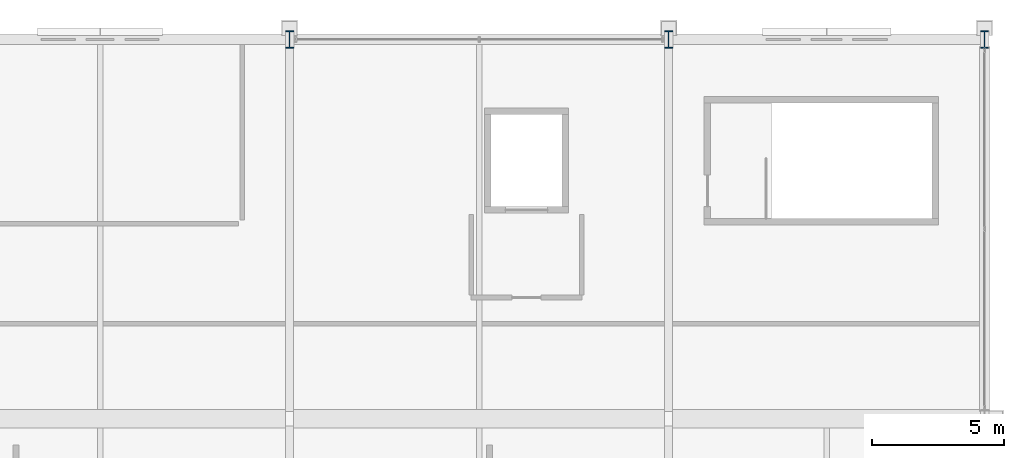
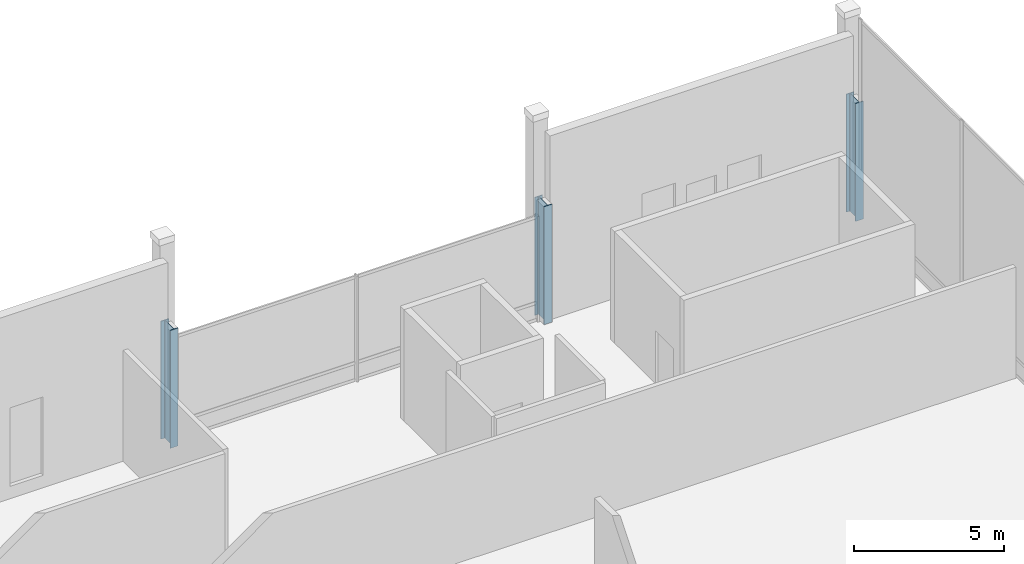
# One storey, part 21 of 193: 3 columns.
"""IFC4 building model written with IfcOpenShell, lengths in metres."""

from ifc_helpers import new_model, si_unit, direction, frame, origin, origin_2d, place, context, subcontext, project, spatial, i_section, extrude, material, material_profile, profile_set, type_object, element, save


model = new_model("IFC4")

# Units and contexts
model_context = context("Model", 3, precision=1e-05, world=origin(), true_north=direction((0.0, 1.0)))
body_context = subcontext(model_context, "Body", "Model", "MODEL_VIEW")
ifc_project = project(units=[si_unit("LENGTHUNIT", "METRE"), si_unit("AREAUNIT", "SQUARE_METRE"), si_unit("VOLUMEUNIT", "CUBIC_METRE"), si_unit("PLANEANGLEUNIT", "RADIAN"), si_unit("MASSUNIT", "GRAM", prefix="KILO")], contexts=[model_context])

# Site, building, storey
site_placement = place(None, origin())
site = spatial("IfcSite", under=ifc_project, at=site_placement, CompositionType="ELEMENT")
building_placement = place(site_placement, origin())
building = spatial("IfcBuilding", under=site, at=building_placement, Name="Cendralis Lancet Convention Centre", CompositionType="ELEMENT")
storey_placement = place(building_placement, frame((0.0, 0.0, 10.199951171875)))
storey = spatial("IfcBuildingStorey", under=building, at=storey_placement, Name="L02", CompositionType="ELEMENT", Elevation=10.199951171875)

# Columns
ifc_material = material(Name="Steel S355", Category="steel")
ifc_material_profile = material_profile(ifc_material, i_section(OverallWidth=0.300048828125, OverallDepth=0.64990234375, WebThickness=0.01611328125, FlangeThickness=0.031005859375, FilletRadius=0.027099609375, at=origin_2d()), Name="HEB 650")
ifc_profile_set = profile_set([ifc_material_profile], Name="Steel S355")
column_type = type_object("IfcColumnType", Name="STR-COL-C20", PredefinedType="COLUMN", material=ifc_profile_set)
for number, where, z_axis, x_axis, name in (
    (1, (182.39990234375, 136.800048828125, 0.0), (0.0, 0.0, 1.0), (1.0, 0.0, 0.0), "L02 Column C20 at 182.4,136.8"),
    (2, (196.800048828125, 136.800048828125, 0.0), (0.0, 0.0, 1.0), (1.0, 0.0, 0.0), "L02 Column C20 at 196.8,136.8"),
    (3, (208.800048828125, 136.800048828125, 0.0), (0.0, 0.0, 1.0), (1.0, 0.0, 0.0), "L02 Column C20 at 208.8,136.8"),
):
    element("IfcColumn", number, at=place(storey_placement, frame(where, z_axis=z_axis, x_axis=x_axis)), inside=storey, type_object=column_type, Name=name, PredefinedType="COLUMN", context=body_context, shape_type="SweptSolid", body=[
        extrude(i_section(OverallWidth=0.300048828125, OverallDepth=0.64990234375, WebThickness=0.01611328125, FlangeThickness=0.031005859375, FilletRadius=0.027099609375, at=origin_2d()), origin(), (0.0, 0.0, 1.0), 4.800048828125),
    ])

save(model, "model.ifc")
